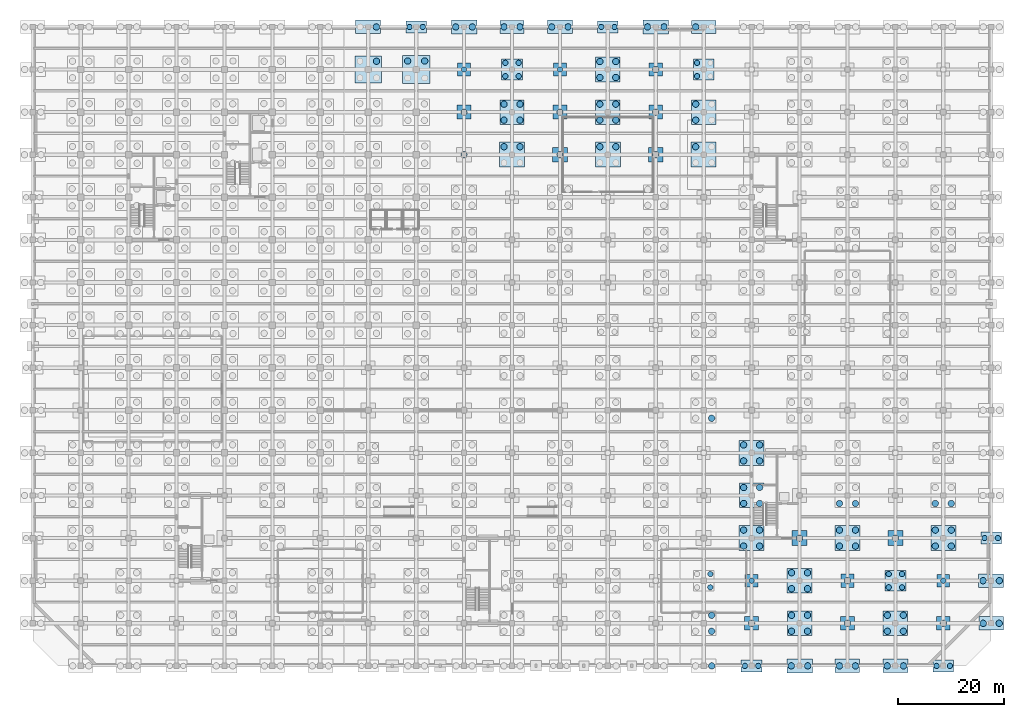
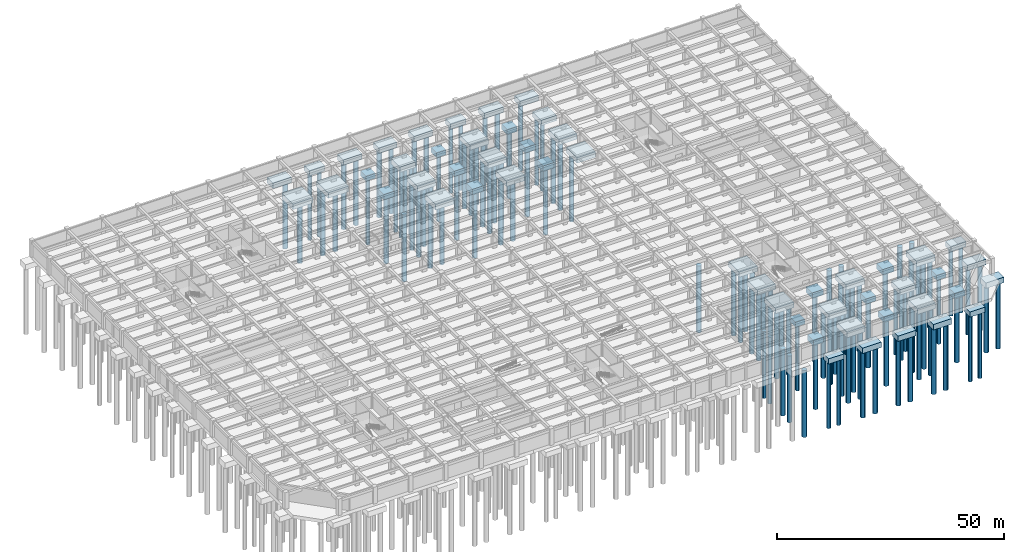
# One storey, part 6 of 31: 121 piles, 52 footings.
"""IFC4 building model written with IfcOpenShell, lengths in metres."""

from ifc_helpers import new_model, si_unit, direction, frame, origin, origin_2d, place, context, subcontext, project, spatial, rectangle, circle, extrude, material, layer, layer_set, material_profile, profile_set, type_object, element, save


model = new_model("IFC4")

# Units and contexts
model_context = context("Model", 3, precision=1e-05, world=origin(), true_north=direction((0.0, 1.0)))
body_context = subcontext(model_context, "Body", "Model", "MODEL_VIEW")
ifc_project = project(units=[si_unit("LENGTHUNIT", "METRE"), si_unit("AREAUNIT", "SQUARE_METRE"), si_unit("VOLUMEUNIT", "CUBIC_METRE"), si_unit("PLANEANGLEUNIT", "RADIAN"), si_unit("MASSUNIT", "GRAM", prefix="KILO")], contexts=[model_context])

# Site, building, storey
site_placement = place(None, origin())
site = spatial("IfcSite", under=ifc_project, at=site_placement, CompositionType="ELEMENT")
building_placement = place(site_placement, origin())
building = spatial("IfcBuilding", under=site, at=building_placement, Name="Zaverband Oceanarium and Marine Research Institute", CompositionType="ELEMENT")
storey_placement = place(building_placement, frame((0.0, 0.0, -9.0)))
storey = spatial("IfcBuildingStorey", under=building, at=storey_placement, Name="B2", CompositionType="ELEMENT", Elevation=-9.0)

# Footings
ifc_material = material(Name="Concrete C50/60", Category="concrete")
ifc_layer_1 = layer(ifc_material, 1.39990234375, Name="Concrete C50/60")
ifc_layer_set_1 = layer_set([ifc_layer_1], Name="Concrete C50/60")
footing_type_1 = type_object("IfcFootingType", Name="PC-2400x2400x1400", PredefinedType="PILE_CAP", material=ifc_layer_set_1)
for number, where, z_axis, x_axis, name in (
    (1, (81.0, 112.0, -2.300048828125), (0.0, 0.0, 1.0), (1.0, 0.0, 0.0), "Reinforced concrete pile cap PC-2400x2400x1400"),
    (2, (99.0, 112.0, -2.300048828125), (0.0, 0.0, 1.0), (1.0, 0.0, 0.0), "Reinforced concrete pile cap PC-2400x2400x1400"),
    (3, (135.0, 16.0, -2.300048828125), (0.0, 0.0, 1.0), (1.0, 0.0, 0.0), "Reinforced concrete pile cap PC-2400x2400x1400"),
    (4, (171.0, 16.0, -2.300048828125), (0.0, 0.0, 1.0), (1.0, 0.0, 0.0), "Reinforced concrete pile cap PC-2400x2400x1400"),
):
    element("IfcFooting", number, at=place(storey_placement, frame(where, z_axis=z_axis, x_axis=x_axis)), inside=storey, type_object=footing_type_1, Name=name, PredefinedType="PILE_CAP", context=body_context, shape_type="SweptSolid", body=[
        extrude(rectangle(XDim=2.39990234375, YDim=2.39990234375, at=origin_2d()), origin(), (0.0, 0.0, 1.0), 1.39990234375),
    ])
ifc_layer_2 = layer(ifc_material, 1.449951171875, Name="Concrete C50/60")
ifc_layer_set_2 = layer_set([ifc_layer_2], Name="Concrete C50/60")
footing_type_2 = type_object("IfcFootingType", Name="PC-2500x2500x1450", PredefinedType="PILE_CAP", material=ifc_layer_set_2)
for number, where, z_axis, x_axis, name in (
    (5, (117.0, 112.0, -2.35009765625), (0.0, 0.0, 1.0), (1.0, 0.0, 0.0), "Reinforced concrete pile cap PC-2500x2500x1450"),
    (6, (153.0, 16.0, -2.35009765625), (0.0, 0.0, 1.0), (1.0, 0.0, 0.0), "Reinforced concrete pile cap PC-2500x2500x1450"),
):
    element("IfcFooting", number, at=place(storey_placement, frame(where, z_axis=z_axis, x_axis=x_axis)), inside=storey, type_object=footing_type_2, Name=name, PredefinedType="PILE_CAP", context=body_context, shape_type="SweptSolid", body=[
        extrude(rectangle(XDim=2.5, YDim=2.5, at=origin_2d()), origin(), (0.0, 0.0, 1.0), 1.449951171875),
    ])
ifc_layer_3 = layer(ifc_material, 1.5, Name="Concrete C50/60")
ifc_layer_set_3 = layer_set([ifc_layer_3], Name="Concrete C50/60")
footing_type_3 = type_object("IfcFootingType", Name="PC-2600x2600x1500", PredefinedType="PILE_CAP", material=ifc_layer_set_3)
for number, where, z_axis, x_axis, name in (
    (7, (81.0, 104.0, -2.39990234375), (0.0, 0.0, 1.0), (1.0, 0.0, 0.0), "Reinforced concrete pile cap PC-2600x2600x1500"),
    (8, (99.0, 104.0, -2.39990234375), (0.0, 0.0, 1.0), (1.0, 0.0, 0.0), "Reinforced concrete pile cap PC-2600x2600x1500"),
    (9, (117.0, 104.0, -2.39990234375), (0.0, 0.0, 1.0), (1.0, 0.0, 0.0), "Reinforced concrete pile cap PC-2600x2600x1500"),
    (10, (135.0, 8.0, -2.39990234375), (0.0, 0.0, 1.0), (1.0, 0.0, 0.0), "Reinforced concrete pile cap PC-2600x2600x1500"),
    (11, (153.0, 8.0, -2.39990234375), (0.0, 0.0, 1.0), (1.0, 0.0, 0.0), "Reinforced concrete pile cap PC-2600x2600x1500"),
    (12, (171.0, 8.0, -2.39990234375), (0.0, 0.0, 1.0), (1.0, 0.0, 0.0), "Reinforced concrete pile cap PC-2600x2600x1500"),
):
    element("IfcFooting", number, at=place(storey_placement, frame(where, z_axis=z_axis, x_axis=x_axis)), inside=storey, type_object=footing_type_3, Name=name, PredefinedType="PILE_CAP", context=body_context, shape_type="SweptSolid", body=[
        extrude(rectangle(XDim=2.60009765625, YDim=2.60009765625, at=origin_2d()), origin(), (0.0, 0.0, 1.0), 1.5),
    ])
ifc_layer_4 = layer(ifc_material, 1.5, Name="Concrete C50/60")
ifc_layer_set_4 = layer_set([ifc_layer_4], Name="Concrete C50/60")
footing_type_4 = type_object("IfcFootingType", Name="PC-2800x2800x1500", PredefinedType="PILE_CAP", material=ifc_layer_set_4)
for number, where, z_axis, x_axis, name in (
    (13, (99.0, 96.0, -2.39990234375), (0.0, 0.0, 1.0), (1.0, 0.0, 0.0), "Reinforced concrete pile cap PC-2800x2800x1500"),
    (14, (117.0, 96.0, -2.39990234375), (0.0, 0.0, 1.0), (1.0, 0.0, 0.0), "Reinforced concrete pile cap PC-2800x2800x1500"),
    (15, (144.0, 24.0, -2.39990234375), (0.0, 0.0, 1.0), (1.0, 0.0, 0.0), "Reinforced concrete pile cap PC-2800x2800x1500"),
    (16, (162.0, 24.0, -2.39990234375), (0.0, 0.0, 1.0), (1.0, 0.0, 0.0), "Reinforced concrete pile cap PC-2800x2800x1500"),
):
    element("IfcFooting", number, at=place(storey_placement, frame(where, z_axis=z_axis, x_axis=x_axis)), inside=storey, type_object=footing_type_4, Name=name, PredefinedType="PILE_CAP", context=body_context, shape_type="SweptSolid", body=[
        extrude(rectangle(XDim=2.800048828125, YDim=2.800048828125, at=origin_2d()), origin(), (0.0, 0.0, 1.0), 1.5),
    ])
ifc_layer_5 = layer(ifc_material, 1.39990234375, Name="Concrete C50/60")
ifc_layer_set_5 = layer_set([ifc_layer_5], Name="Concrete C50/60")
footing_type_5 = type_object("IfcFootingType", Name="PC-3900x2300x1400", PredefinedType="PILE_CAP", material=ifc_layer_set_5)
for number, where, z_axis, x_axis, name in (
    (17, (72.0, 120.0, -2.300048828125), (0.0, 0.0, 1.0), (1.0, 0.0, 0.0), "Reinforced concrete pile cap PC-3900x2300x1400"),
    (18, (108.0, 120.0, -2.300048828125), (0.0, 0.0, 1.0), (1.0, 0.0, 0.0), "Reinforced concrete pile cap PC-3900x2300x1400"),
    (19, (135.0, 0.0, -2.300048828125), (0.0, 0.0, 1.0), (1.0, 0.0, 0.0), "Reinforced concrete pile cap PC-3900x2300x1400"),
    (20, (171.0, 0.0, -2.300048828125), (0.0, 0.0, 1.0), (1.0, 0.0, 0.0), "Reinforced concrete pile cap PC-3900x2300x1400"),
    (21, (180.0, 24.0, -2.300048828125), (0.0, 0.0, 1.0), (1.0, 0.0, 0.0), "Reinforced concrete pile cap PC-3900x2300x1400"),
):
    element("IfcFooting", number, at=place(storey_placement, frame(where, z_axis=z_axis, x_axis=x_axis)), inside=storey, type_object=footing_type_5, Name=name, PredefinedType="PILE_CAP", context=body_context, shape_type="SweptSolid", body=[
        extrude(rectangle(XDim=3.89990234375, YDim=2.300048828125, at=origin_2d()), origin(), (0.0, 0.0, 1.0), 1.39990234375),
    ])
ifc_layer_6 = layer(ifc_material, 1.449951171875, Name="Concrete C50/60")
ifc_layer_set_6 = layer_set([ifc_layer_6], Name="Concrete C50/60")
footing_type_6 = type_object("IfcFootingType", Name="PC-3900x3900x1450", PredefinedType="PILE_CAP", material=ifc_layer_set_6)
for number, where, z_axis, x_axis, name in (
    (22, (90.0, 112.0, -2.35009765625), (0.0, 0.0, 1.0), (1.0, 0.0, 0.0), "Reinforced concrete pile cap PC-3900x3900x1450"),
    (23, (126.0, 112.0, -2.35009765625), (0.0, 0.0, 1.0), (1.0, 0.0, 0.0), "Reinforced concrete pile cap PC-3900x3900x1450"),
    (24, (162.0, 16.0, -2.35009765625), (0.0, 0.0, 1.0), (1.0, 0.0, 0.0), "Reinforced concrete pile cap PC-3900x3900x1450"),
):
    element("IfcFooting", number, at=place(storey_placement, frame(where, z_axis=z_axis, x_axis=x_axis)), inside=storey, type_object=footing_type_6, Name=name, PredefinedType="PILE_CAP", context=body_context, shape_type="SweptSolid", body=[
        extrude(rectangle(XDim=3.89990234375, YDim=3.89990234375, at=origin_2d()), origin(), (0.0, 0.0, 1.0), 1.449951171875),
    ])
ifc_layer_7 = layer(ifc_material, 1.449951171875, Name="Concrete C50/60")
ifc_layer_set_7 = layer_set([ifc_layer_7], Name="Concrete C50/60")
footing_type_7 = type_object("IfcFootingType", Name="PC-4600x2500x1450", PredefinedType="PILE_CAP", material=ifc_layer_set_7)
for number, where, z_axis, x_axis, name in (
    (25, (90.0, 120.0, -2.35009765625), (0.0, 0.0, 1.0), (1.0, 0.0, 0.0), "Reinforced concrete pile cap PC-4600x2500x1450"),
    (26, (126.0, 120.0, -2.35009765625), (0.0, 0.0, 1.0), (1.0, 0.0, 0.0), "Reinforced concrete pile cap PC-4600x2500x1450"),
    (27, (153.0, 0.0, -2.35009765625), (0.0, 0.0, 1.0), (1.0, 0.0, 0.0), "Reinforced concrete pile cap PC-4600x2500x1450"),
    (28, (180.0, 8.0, -2.35009765625), (0.0, 0.0, 1.0), (1.0, 0.0, 0.0), "Reinforced concrete pile cap PC-4600x2500x1450"),
):
    element("IfcFooting", number, at=place(storey_placement, frame(where, z_axis=z_axis, x_axis=x_axis)), inside=storey, type_object=footing_type_7, Name=name, PredefinedType="PILE_CAP", context=body_context, shape_type="SweptSolid", body=[
        extrude(rectangle(XDim=4.60009765625, YDim=2.5, at=origin_2d()), origin(), (0.0, 0.0, 1.0), 1.449951171875),
    ])
ifc_layer_8 = layer(ifc_material, 1.5, Name="Concrete C50/60")
ifc_layer_set_8 = layer_set([ifc_layer_8], Name="Concrete C50/60")
footing_type_8 = type_object("IfcFootingType", Name="PC-4600x4600x1500", PredefinedType="PILE_CAP", material=ifc_layer_set_8)
for number, where, z_axis, x_axis, name in (
    (29, (90.0, 104.0, -2.39990234375), (0.0, 0.0, 1.0), (1.0, 0.0, 0.0), "Reinforced concrete pile cap PC-4600x4600x1500"),
    (30, (108.0, 104.0, -2.39990234375), (0.0, 0.0, 1.0), (1.0, 0.0, 0.0), "Reinforced concrete pile cap PC-4600x4600x1500"),
    (31, (126.0, 104.0, -2.39990234375), (0.0, 0.0, 1.0), (1.0, 0.0, 0.0), "Reinforced concrete pile cap PC-4600x4600x1500"),
    (32, (135.0, 32.0, -2.39990234375), (0.0, 0.0, 1.0), (1.0, 0.0, 0.0), "Reinforced concrete pile cap PC-4600x4600x1500"),
    (33, (144.0, 8.0, -2.39990234375), (0.0, 0.0, 1.0), (1.0, 0.0, 0.0), "Reinforced concrete pile cap PC-4600x4600x1500"),
    (34, (162.0, 8.0, -2.39990234375), (0.0, 0.0, 1.0), (1.0, 0.0, 0.0), "Reinforced concrete pile cap PC-4600x4600x1500"),
):
    element("IfcFooting", number, at=place(storey_placement, frame(where, z_axis=z_axis, x_axis=x_axis)), inside=storey, type_object=footing_type_8, Name=name, PredefinedType="PILE_CAP", context=body_context, shape_type="SweptSolid", body=[
        extrude(rectangle(XDim=4.60009765625, YDim=4.60009765625, at=origin_2d()), origin(), (0.0, 0.0, 1.0), 1.5),
    ])
ifc_layer_9 = layer(ifc_material, 1.449951171875, Name="Concrete C50/60")
ifc_layer_set_9 = layer_set([ifc_layer_9], Name="Concrete C50/60")
footing_type_9 = type_object("IfcFootingType", Name="PC-4650x4650x1450", PredefinedType="PILE_CAP", material=ifc_layer_set_9)
for number, where, z_axis, x_axis, name in (
    (35, (108.0, 112.0, -2.35009765625), (0.0, 0.0, 1.0), (1.0, 0.0, 0.0), "Reinforced concrete pile cap PC-4650x4650x1450"),
    (36, (135.0, 40.0, -2.35009765625), (0.0, 0.0, 1.0), (1.0, 0.0, 0.0), "Reinforced concrete pile cap PC-4650x4650x1450"),
    (37, (144.0, 16.0, -2.35009765625), (0.0, 0.0, 1.0), (1.0, 0.0, 0.0), "Reinforced concrete pile cap PC-4650x4650x1450"),
):
    element("IfcFooting", number, at=place(storey_placement, frame(where, z_axis=z_axis, x_axis=x_axis)), inside=storey, type_object=footing_type_9, Name=name, PredefinedType="PILE_CAP", context=body_context, shape_type="SweptSolid", body=[
        extrude(rectangle(XDim=4.64990234375, YDim=4.64990234375, at=origin_2d()), origin(), (0.0, 0.0, 1.0), 1.449951171875),
    ])
ifc_layer_10 = layer(ifc_material, 1.5, Name="Concrete C50/60")
ifc_layer_set_10 = layer_set([ifc_layer_10], Name="Concrete C50/60")
footing_type_10 = type_object("IfcFootingType", Name="PC-4700x2550x1500", PredefinedType="PILE_CAP", material=ifc_layer_set_10)
for number, where, z_axis, x_axis, name in (
    (38, (63.0, 120.0, -2.39990234375), (0.0, 0.0, 1.0), (1.0, 0.0, 0.0), "Reinforced concrete pile cap PC-4700x2550x1500"),
    (39, (99.0, 120.0, -2.39990234375), (0.0, 0.0, 1.0), (1.0, 0.0, 0.0), "Reinforced concrete pile cap PC-4700x2550x1500"),
    (40, (162.0, 0.0, -2.39990234375), (0.0, 0.0, 1.0), (1.0, 0.0, 0.0), "Reinforced concrete pile cap PC-4700x2550x1500"),
    (41, (180.0, 16.0, -2.39990234375), (0.0, 0.0, 1.0), (1.0, 0.0, 0.0), "Reinforced concrete pile cap PC-4700x2550x1500"),
):
    element("IfcFooting", number, at=place(storey_placement, frame(where, z_axis=z_axis, x_axis=x_axis)), inside=storey, type_object=footing_type_10, Name=name, PredefinedType="PILE_CAP", context=body_context, shape_type="SweptSolid", body=[
        extrude(rectangle(XDim=4.699951171875, YDim=2.550048828125, at=origin_2d()), origin(), (0.0, 0.0, 1.0), 1.5),
    ])
ifc_layer_11 = layer(ifc_material, 1.5, Name="Concrete C50/60")
ifc_layer_set_11 = layer_set([ifc_layer_11], Name="Concrete C50/60")
footing_type_11 = type_object("IfcFootingType", Name="PC-4700x4700x1500", PredefinedType="PILE_CAP", material=ifc_layer_set_11)
for number, where, z_axis, x_axis, name in (
    (42, (90.0, 96.0, -2.39990234375), (0.0, 0.0, 1.0), (1.0, 0.0, 0.0), "Reinforced concrete pile cap PC-4700x4700x1500"),
    (43, (108.0, 96.0, -2.39990234375), (0.0, 0.0, 1.0), (1.0, 0.0, 0.0), "Reinforced concrete pile cap PC-4700x4700x1500"),
    (44, (126.0, 96.0, -2.39990234375), (0.0, 0.0, 1.0), (1.0, 0.0, 0.0), "Reinforced concrete pile cap PC-4700x4700x1500"),
    (45, (135.0, 24.0, -2.39990234375), (0.0, 0.0, 1.0), (1.0, 0.0, 0.0), "Reinforced concrete pile cap PC-4700x4700x1500"),
    (46, (153.0, 24.0, -2.39990234375), (0.0, 0.0, 1.0), (1.0, 0.0, 0.0), "Reinforced concrete pile cap PC-4700x4700x1500"),
    (47, (171.0, 24.0, -2.39990234375), (0.0, 0.0, 1.0), (1.0, 0.0, 0.0), "Reinforced concrete pile cap PC-4700x4700x1500"),
):
    element("IfcFooting", number, at=place(storey_placement, frame(where, z_axis=z_axis, x_axis=x_axis)), inside=storey, type_object=footing_type_11, Name=name, PredefinedType="PILE_CAP", context=body_context, shape_type="SweptSolid", body=[
        extrude(rectangle(XDim=4.699951171875, YDim=4.699951171875, at=origin_2d()), origin(), (0.0, 0.0, 1.0), 1.5),
    ])
ifc_layer_12 = layer(ifc_material, 1.5, Name="Concrete C50/60")
ifc_layer_set_12 = layer_set([ifc_layer_12], Name="Concrete C50/60")
footing_type_12 = type_object("IfcFootingType", Name="PC-4800x2600x1500", PredefinedType="PILE_CAP", material=ifc_layer_set_12)
for number, where, z_axis, x_axis, name in (
    (48, (81.0, 120.0, -2.39990234375), (0.0, 0.0, 1.0), (1.0, 0.0, 0.0), "Reinforced concrete pile cap PC-4800x2600x1500"),
    (49, (117.0, 120.0, -2.39990234375), (0.0, 0.0, 1.0), (1.0, 0.0, 0.0), "Reinforced concrete pile cap PC-4800x2600x1500"),
    (50, (144.0, 0.0, -2.39990234375), (0.0, 0.0, 1.0), (1.0, 0.0, 0.0), "Reinforced concrete pile cap PC-4800x2600x1500"),
):
    element("IfcFooting", number, at=place(storey_placement, frame(where, z_axis=z_axis, x_axis=x_axis)), inside=storey, type_object=footing_type_12, Name=name, PredefinedType="PILE_CAP", context=body_context, shape_type="SweptSolid", body=[
        extrude(rectangle(XDim=4.800048828125, YDim=2.60009765625, at=origin_2d()), origin(), (0.0, 0.0, 1.0), 1.5),
    ])
ifc_layer_13 = layer(ifc_material, 1.5, Name="Concrete C50/60")
ifc_layer_set_13 = layer_set([ifc_layer_13], Name="Concrete C50/60")
footing_type_13 = type_object("IfcFootingType", Name="PC-5000x5000x1500", PredefinedType="PILE_CAP", material=ifc_layer_set_13)
footing_1_placement = place(storey_placement, frame((63.0, 112.0, -2.39990234375), z_axis=(0.0, 0.0, 1.0), x_axis=(1.0, 0.0, 0.0)))
element("IfcFooting", 51, at=footing_1_placement, inside=storey, type_object=footing_type_13, Name="Reinforced concrete pile cap PC-5000x5000x1500", PredefinedType="PILE_CAP", context=body_context, shape_type="SweptSolid", body=[
    extrude(rectangle(XDim=5.0, YDim=5.0, at=origin_2d()), origin(), (0.0, 0.0, 1.0), 1.5),
])
ifc_layer_14 = layer(ifc_material, 1.5, Name="Concrete C50/60")
ifc_layer_set_14 = layer_set([ifc_layer_14], Name="Concrete C50/60")
footing_type_14 = type_object("IfcFootingType", Name="PC-5200x5200x1500", PredefinedType="PILE_CAP", material=ifc_layer_set_14)
footing_2_placement = place(storey_placement, frame((72.0, 112.0, -2.39990234375), z_axis=(0.0, 0.0, 1.0), x_axis=(1.0, 0.0, 0.0)))
element("IfcFooting", 52, at=footing_2_placement, inside=storey, type_object=footing_type_14, Name="Reinforced concrete pile cap PC-5200x5200x1500", PredefinedType="PILE_CAP", context=body_context, shape_type="SweptSolid", body=[
    extrude(rectangle(XDim=5.199951171875, YDim=5.199951171875, at=origin_2d()), origin(), (0.0, 0.0, 1.0), 1.5),
])

# Piles
ifc_material_profile_1 = material_profile(ifc_material, circle(Radius=0.5, at=origin_2d()), Name="BP1000")
ifc_profile_set_1 = profile_set([ifc_material_profile_1], Name="Concrete C50/60")
pile_type_1 = type_object("IfcPileType", Name="PL-BP1000", PredefinedType="BORED", material=ifc_profile_set_1)
for number, where, z_axis, x_axis, name in (
    (53, (70.75, 120.0, -2.300048828125), (0.0, 0.0, -1.0), (1.0, 0.0, 0.0), "Rotary bored cast-in-place pile PL-BP1000"),
    (54, (73.25, 120.0, -2.300048828125), (0.0, 0.0, -1.0), (1.0, 0.0, 0.0), "Rotary bored cast-in-place pile PL-BP1000"),
    (55, (81.0, 112.0, -2.300048828125), (0.0, 0.0, -1.0), (1.0, 0.0, 0.0), "Rotary bored cast-in-place pile PL-BP1000"),
    (56, (88.75, 110.75, -2.35009765625), (0.0, 0.0, -1.0), (1.0, 0.0, 0.0), "Rotary bored cast-in-place pile PL-BP1000"),
    (57, (91.25, 110.75, -2.35009765625), (0.0, 0.0, -1.0), (1.0, 0.0, 0.0), "Rotary bored cast-in-place pile PL-BP1000"),
    (58, (88.75, 113.25, -2.35009765625), (0.0, 0.0, -1.0), (1.0, 0.0, 0.0), "Rotary bored cast-in-place pile PL-BP1000"),
    (59, (91.25, 113.25, -2.35009765625), (0.0, 0.0, -1.0), (1.0, 0.0, 0.0), "Rotary bored cast-in-place pile PL-BP1000"),
    (60, (99.0, 112.0, -2.300048828125), (0.0, 0.0, -1.0), (1.0, 0.0, 0.0), "Rotary bored cast-in-place pile PL-BP1000"),
    (61, (106.75, 120.0, -2.300048828125), (0.0, 0.0, -1.0), (1.0, 0.0, 0.0), "Rotary bored cast-in-place pile PL-BP1000"),
    (62, (109.25, 120.0, -2.300048828125), (0.0, 0.0, -1.0), (1.0, 0.0, 0.0), "Rotary bored cast-in-place pile PL-BP1000"),
    (63, (127.25, 14.75, -2.35009765625), (0.0, 0.0, -1.0), (1.0, 0.0, 0.0), "Rotary bored cast-in-place pile PL-BP1000"),
    (64, (127.25, 17.25, -2.35009765625), (0.0, 0.0, -1.0), (1.0, 0.0, 0.0), "Rotary bored cast-in-place pile PL-BP1000"),
    (65, (124.75, 110.75, -2.35009765625), (0.0, 0.0, -1.0), (1.0, 0.0, 0.0), "Rotary bored cast-in-place pile PL-BP1000"),
    (66, (124.75, 113.25, -2.35009765625), (0.0, 0.0, -1.0), (1.0, 0.0, 0.0), "Rotary bored cast-in-place pile PL-BP1000"),
    (67, (133.75, 0.0, -2.300048828125), (0.0, 0.0, -1.0), (1.0, 0.0, 0.0), "Rotary bored cast-in-place pile PL-BP1000"),
    (68, (136.25, 0.0, -2.300048828125), (0.0, 0.0, -1.0), (1.0, 0.0, 0.0), "Rotary bored cast-in-place pile PL-BP1000"),
    (69, (135.0, 16.0, -2.300048828125), (0.0, 0.0, -1.0), (1.0, 0.0, 0.0), "Rotary bored cast-in-place pile PL-BP1000"),
    (70, (160.75, 14.75, -2.35009765625), (0.0, 0.0, -1.0), (1.0, 0.0, 0.0), "Rotary bored cast-in-place pile PL-BP1000"),
    (71, (163.25, 14.75, -2.35009765625), (0.0, 0.0, -1.0), (1.0, 0.0, 0.0), "Rotary bored cast-in-place pile PL-BP1000"),
    (72, (160.75, 17.25, -2.35009765625), (0.0, 0.0, -1.0), (1.0, 0.0, 0.0), "Rotary bored cast-in-place pile PL-BP1000"),
    (73, (163.25, 17.25, -2.35009765625), (0.0, 0.0, -1.0), (1.0, 0.0, 0.0), "Rotary bored cast-in-place pile PL-BP1000"),
    (74, (169.75, 0.0, -2.300048828125), (0.0, 0.0, -1.0), (1.0, 0.0, 0.0), "Rotary bored cast-in-place pile PL-BP1000"),
    (75, (172.25, 0.0, -2.300048828125), (0.0, 0.0, -1.0), (1.0, 0.0, 0.0), "Rotary bored cast-in-place pile PL-BP1000"),
    (76, (171.0, 16.0, -2.300048828125), (0.0, 0.0, -1.0), (1.0, 0.0, 0.0), "Rotary bored cast-in-place pile PL-BP1000"),
    (77, (178.75, 24.0, -2.300048828125), (0.0, 0.0, -1.0), (1.0, 0.0, 0.0), "Rotary bored cast-in-place pile PL-BP1000"),
    (78, (181.25, 24.0, -2.300048828125), (0.0, 0.0, -1.0), (1.0, 0.0, 0.0), "Rotary bored cast-in-place pile PL-BP1000"),
):
    element("IfcPile", number, at=place(storey_placement, frame(where, z_axis=z_axis, x_axis=x_axis)), inside=storey, type_object=pile_type_1, Name=name, PredefinedType="BORED", context=body_context, shape_type="SweptSolid", body=[
        extrude(circle(Radius=0.5, at=origin_2d()), origin(), (0.0, 0.0, 1.0), 18.0),
    ])
ifc_material_profile_2 = material_profile(ifc_material, circle(Radius=0.60009765625, at=origin_2d()), Name="BP1200")
ifc_profile_set_2 = profile_set([ifc_material_profile_2], Name="Concrete C50/60")
pile_type_2 = type_object("IfcPileType", Name="PL-BP1200", PredefinedType="BORED", material=ifc_profile_set_2)
for number, where, z_axis, x_axis, name in (
    (79, (64.550048828125, 113.550048828125, -2.39990234375), (0.0, 0.0, -1.0), (1.0, 0.0, 0.0), "Rotary bored cast-in-place pile PL-BP1200"),
    (80, (64.52490234375, 120.0, -2.39990234375), (0.0, 0.0, -1.0), (1.0, 0.0, 0.0), "Rotary bored cast-in-place pile PL-BP1200"),
    (81, (70.39990234375, 113.60009765625, -2.39990234375), (0.0, 0.0, -1.0), (1.0, 0.0, 0.0), "Rotary bored cast-in-place pile PL-BP1200"),
    (82, (73.60009765625, 113.60009765625, -2.39990234375), (0.0, 0.0, -1.0), (1.0, 0.0, 0.0), "Rotary bored cast-in-place pile PL-BP1200"),
    (83, (81.0, 96.0, -2.39990234375), (0.0, 0.0, -1.0), (1.0, 0.0, 0.0), "Rotary bored cast-in-place pile PL-BP1200"),
    (84, (81.0, 104.0, -2.39990234375), (0.0, 0.0, -1.0), (1.0, 0.0, 0.0), "Rotary bored cast-in-place pile PL-BP1200"),
    (85, (79.449951171875, 120.0, -2.39990234375), (0.0, 0.0, -1.0), (1.0, 0.0, 0.0), "Rotary bored cast-in-place pile PL-BP1200"),
    (86, (82.550048828125, 120.0, -2.39990234375), (0.0, 0.0, -1.0), (1.0, 0.0, 0.0), "Rotary bored cast-in-place pile PL-BP1200"),
    (87, (88.5, 97.5, -2.39990234375), (0.0, 0.0, -1.0), (1.0, 0.0, 0.0), "Rotary bored cast-in-place pile PL-BP1200"),
    (88, (91.5, 97.5, -2.39990234375), (0.0, 0.0, -1.0), (1.0, 0.0, 0.0), "Rotary bored cast-in-place pile PL-BP1200"),
    (89, (88.5, 102.5, -2.39990234375), (0.0, 0.0, -1.0), (1.0, 0.0, 0.0), "Rotary bored cast-in-place pile PL-BP1200"),
    (90, (91.5, 102.5, -2.39990234375), (0.0, 0.0, -1.0), (1.0, 0.0, 0.0), "Rotary bored cast-in-place pile PL-BP1200"),
    (91, (88.5, 105.5, -2.39990234375), (0.0, 0.0, -1.0), (1.0, 0.0, 0.0), "Rotary bored cast-in-place pile PL-BP1200"),
    (92, (91.5, 105.5, -2.39990234375), (0.0, 0.0, -1.0), (1.0, 0.0, 0.0), "Rotary bored cast-in-place pile PL-BP1200"),
    (93, (88.5, 120.0, -2.35009765625), (0.0, 0.0, -1.0), (1.0, 0.0, 0.0), "Rotary bored cast-in-place pile PL-BP1200"),
    (94, (91.5, 120.0, -2.35009765625), (0.0, 0.0, -1.0), (1.0, 0.0, 0.0), "Rotary bored cast-in-place pile PL-BP1200"),
    (95, (99.0, 96.0, -2.39990234375), (0.0, 0.0, -1.0), (1.0, 0.0, 0.0), "Rotary bored cast-in-place pile PL-BP1200"),
    (96, (99.0, 104.0, -2.39990234375), (0.0, 0.0, -1.0), (1.0, 0.0, 0.0), "Rotary bored cast-in-place pile PL-BP1200"),
    (97, (97.47509765625, 120.0, -2.39990234375), (0.0, 0.0, -1.0), (1.0, 0.0, 0.0), "Rotary bored cast-in-place pile PL-BP1200"),
    (98, (100.52490234375, 120.0, -2.39990234375), (0.0, 0.0, -1.0), (1.0, 0.0, 0.0), "Rotary bored cast-in-place pile PL-BP1200"),
    (99, (106.5, 97.5, -2.39990234375), (0.0, 0.0, -1.0), (1.0, 0.0, 0.0), "Rotary bored cast-in-place pile PL-BP1200"),
    (100, (109.5, 97.5, -2.39990234375), (0.0, 0.0, -1.0), (1.0, 0.0, 0.0), "Rotary bored cast-in-place pile PL-BP1200"),
    (101, (106.5, 102.5, -2.39990234375), (0.0, 0.0, -1.0), (1.0, 0.0, 0.0), "Rotary bored cast-in-place pile PL-BP1200"),
    (102, (109.5, 102.5, -2.39990234375), (0.0, 0.0, -1.0), (1.0, 0.0, 0.0), "Rotary bored cast-in-place pile PL-BP1200"),
    (103, (106.5, 105.5, -2.39990234375), (0.0, 0.0, -1.0), (1.0, 0.0, 0.0), "Rotary bored cast-in-place pile PL-BP1200"),
    (104, (109.5, 105.5, -2.39990234375), (0.0, 0.0, -1.0), (1.0, 0.0, 0.0), "Rotary bored cast-in-place pile PL-BP1200"),
    (105, (106.5, 110.5, -2.35009765625), (0.0, 0.0, -1.0), (1.0, 0.0, 0.0), "Rotary bored cast-in-place pile PL-BP1200"),
    (106, (109.5, 110.5, -2.35009765625), (0.0, 0.0, -1.0), (1.0, 0.0, 0.0), "Rotary bored cast-in-place pile PL-BP1200"),
    (107, (106.5, 113.5, -2.35009765625), (0.0, 0.0, -1.0), (1.0, 0.0, 0.0), "Rotary bored cast-in-place pile PL-BP1200"),
    (108, (109.5, 113.5, -2.35009765625), (0.0, 0.0, -1.0), (1.0, 0.0, 0.0), "Rotary bored cast-in-place pile PL-BP1200"),
    (109, (117.0, 96.0, -2.39990234375), (0.0, 0.0, -1.0), (1.0, 0.0, 0.0), "Rotary bored cast-in-place pile PL-BP1200"),
    (110, (117.0, 104.0, -2.39990234375), (0.0, 0.0, -1.0), (1.0, 0.0, 0.0), "Rotary bored cast-in-place pile PL-BP1200"),
    (111, (117.0, 112.0, -2.35009765625), (0.0, 0.0, -1.0), (1.0, 0.0, 0.0), "Rotary bored cast-in-place pile PL-BP1200"),
    (112, (115.449951171875, 120.0, -2.39990234375), (0.0, 0.0, -1.0), (1.0, 0.0, 0.0), "Rotary bored cast-in-place pile PL-BP1200"),
    (113, (118.550048828125, 120.0, -2.39990234375), (0.0, 0.0, -1.0), (1.0, 0.0, 0.0), "Rotary bored cast-in-place pile PL-BP1200"),
    (114, (127.52490234375, 0.0, -2.39990234375), (0.0, 0.0, -1.0), (1.0, 0.0, 0.0), "Rotary bored cast-in-place pile PL-BP1200"),
    (115, (127.5, 6.5, -2.39990234375), (0.0, 0.0, -1.0), (1.0, 0.0, 0.0), "Rotary bored cast-in-place pile PL-BP1200"),
    (116, (127.5, 9.5, -2.39990234375), (0.0, 0.0, -1.0), (1.0, 0.0, 0.0), "Rotary bored cast-in-place pile PL-BP1200"),
    (117, (127.5, 46.5, -2.39990234375), (0.0, 0.0, -1.0), (1.0, 0.0, 0.0), "Rotary bored cast-in-place pile PL-BP1200"),
    (118, (124.5, 97.5, -2.39990234375), (0.0, 0.0, -1.0), (1.0, 0.0, 0.0), "Rotary bored cast-in-place pile PL-BP1200"),
    (119, (124.5, 102.5, -2.39990234375), (0.0, 0.0, -1.0), (1.0, 0.0, 0.0), "Rotary bored cast-in-place pile PL-BP1200"),
    (120, (124.5, 105.5, -2.39990234375), (0.0, 0.0, -1.0), (1.0, 0.0, 0.0), "Rotary bored cast-in-place pile PL-BP1200"),
    (121, (124.5, 120.0, -2.35009765625), (0.0, 0.0, -1.0), (1.0, 0.0, 0.0), "Rotary bored cast-in-place pile PL-BP1200"),
    (122, (135.0, 8.0, -2.39990234375), (0.0, 0.0, -1.0), (1.0, 0.0, 0.0), "Rotary bored cast-in-place pile PL-BP1200"),
    (123, (133.5, 22.5, -2.39990234375), (0.0, 0.0, -1.0), (1.0, 0.0, 0.0), "Rotary bored cast-in-place pile PL-BP1200"),
    (124, (136.5, 22.5, -2.39990234375), (0.0, 0.0, -1.0), (1.0, 0.0, 0.0), "Rotary bored cast-in-place pile PL-BP1200"),
    (125, (133.5, 25.5, -2.39990234375), (0.0, 0.0, -1.0), (1.0, 0.0, 0.0), "Rotary bored cast-in-place pile PL-BP1200"),
    (126, (136.5, 25.5, -2.39990234375), (0.0, 0.0, -1.0), (1.0, 0.0, 0.0), "Rotary bored cast-in-place pile PL-BP1200"),
    (127, (133.5, 30.5, -2.39990234375), (0.0, 0.0, -1.0), (1.0, 0.0, 0.0), "Rotary bored cast-in-place pile PL-BP1200"),
    (128, (136.5, 30.5, -2.39990234375), (0.0, 0.0, -1.0), (1.0, 0.0, 0.0), "Rotary bored cast-in-place pile PL-BP1200"),
    (129, (133.5, 33.5, -2.39990234375), (0.0, 0.0, -1.0), (1.0, 0.0, 0.0), "Rotary bored cast-in-place pile PL-BP1200"),
    (130, (136.5, 33.5, -2.39990234375), (0.0, 0.0, -1.0), (1.0, 0.0, 0.0), "Rotary bored cast-in-place pile PL-BP1200"),
    (131, (133.5, 38.5, -2.35009765625), (0.0, 0.0, -1.0), (1.0, 0.0, 0.0), "Rotary bored cast-in-place pile PL-BP1200"),
    (132, (136.5, 38.5, -2.35009765625), (0.0, 0.0, -1.0), (1.0, 0.0, 0.0), "Rotary bored cast-in-place pile PL-BP1200"),
    (133, (133.5, 41.5, -2.35009765625), (0.0, 0.0, -1.0), (1.0, 0.0, 0.0), "Rotary bored cast-in-place pile PL-BP1200"),
    (134, (136.5, 41.5, -2.35009765625), (0.0, 0.0, -1.0), (1.0, 0.0, 0.0), "Rotary bored cast-in-place pile PL-BP1200"),
    (135, (142.449951171875, 0.0, -2.39990234375), (0.0, 0.0, -1.0), (1.0, 0.0, 0.0), "Rotary bored cast-in-place pile PL-BP1200"),
    (136, (145.550048828125, 0.0, -2.39990234375), (0.0, 0.0, -1.0), (1.0, 0.0, 0.0), "Rotary bored cast-in-place pile PL-BP1200"),
    (137, (142.5, 6.5, -2.39990234375), (0.0, 0.0, -1.0), (1.0, 0.0, 0.0), "Rotary bored cast-in-place pile PL-BP1200"),
    (138, (145.5, 6.5, -2.39990234375), (0.0, 0.0, -1.0), (1.0, 0.0, 0.0), "Rotary bored cast-in-place pile PL-BP1200"),
    (139, (142.5, 9.5, -2.39990234375), (0.0, 0.0, -1.0), (1.0, 0.0, 0.0), "Rotary bored cast-in-place pile PL-BP1200"),
    (140, (145.5, 9.5, -2.39990234375), (0.0, 0.0, -1.0), (1.0, 0.0, 0.0), "Rotary bored cast-in-place pile PL-BP1200"),
    (141, (142.5, 14.5, -2.35009765625), (0.0, 0.0, -1.0), (1.0, 0.0, 0.0), "Rotary bored cast-in-place pile PL-BP1200"),
    (142, (145.5, 14.5, -2.35009765625), (0.0, 0.0, -1.0), (1.0, 0.0, 0.0), "Rotary bored cast-in-place pile PL-BP1200"),
    (143, (142.5, 17.5, -2.35009765625), (0.0, 0.0, -1.0), (1.0, 0.0, 0.0), "Rotary bored cast-in-place pile PL-BP1200"),
    (144, (145.5, 17.5, -2.35009765625), (0.0, 0.0, -1.0), (1.0, 0.0, 0.0), "Rotary bored cast-in-place pile PL-BP1200"),
    (145, (144.0, 24.0, -2.39990234375), (0.0, 0.0, -1.0), (1.0, 0.0, 0.0), "Rotary bored cast-in-place pile PL-BP1200"),
    (146, (151.5, 0.0, -2.35009765625), (0.0, 0.0, -1.0), (1.0, 0.0, 0.0), "Rotary bored cast-in-place pile PL-BP1200"),
    (147, (154.5, 0.0, -2.35009765625), (0.0, 0.0, -1.0), (1.0, 0.0, 0.0), "Rotary bored cast-in-place pile PL-BP1200"),
    (148, (153.0, 8.0, -2.39990234375), (0.0, 0.0, -1.0), (1.0, 0.0, 0.0), "Rotary bored cast-in-place pile PL-BP1200"),
    (149, (153.0, 16.0, -2.35009765625), (0.0, 0.0, -1.0), (1.0, 0.0, 0.0), "Rotary bored cast-in-place pile PL-BP1200"),
    (150, (151.5, 22.5, -2.39990234375), (0.0, 0.0, -1.0), (1.0, 0.0, 0.0), "Rotary bored cast-in-place pile PL-BP1200"),
    (151, (154.5, 22.5, -2.39990234375), (0.0, 0.0, -1.0), (1.0, 0.0, 0.0), "Rotary bored cast-in-place pile PL-BP1200"),
    (152, (151.5, 25.5, -2.39990234375), (0.0, 0.0, -1.0), (1.0, 0.0, 0.0), "Rotary bored cast-in-place pile PL-BP1200"),
    (153, (154.5, 25.5, -2.39990234375), (0.0, 0.0, -1.0), (1.0, 0.0, 0.0), "Rotary bored cast-in-place pile PL-BP1200"),
    (154, (151.5, 30.5, -2.39990234375), (0.0, 0.0, -1.0), (1.0, 0.0, 0.0), "Rotary bored cast-in-place pile PL-BP1200"),
    (155, (154.5, 30.5, -2.39990234375), (0.0, 0.0, -1.0), (1.0, 0.0, 0.0), "Rotary bored cast-in-place pile PL-BP1200"),
    (156, (160.47509765625, 0.0, -2.39990234375), (0.0, 0.0, -1.0), (1.0, 0.0, 0.0), "Rotary bored cast-in-place pile PL-BP1200"),
    (157, (163.52490234375, 0.0, -2.39990234375), (0.0, 0.0, -1.0), (1.0, 0.0, 0.0), "Rotary bored cast-in-place pile PL-BP1200"),
    (158, (160.5, 6.5, -2.39990234375), (0.0, 0.0, -1.0), (1.0, 0.0, 0.0), "Rotary bored cast-in-place pile PL-BP1200"),
    (159, (163.5, 6.5, -2.39990234375), (0.0, 0.0, -1.0), (1.0, 0.0, 0.0), "Rotary bored cast-in-place pile PL-BP1200"),
    (160, (160.5, 9.5, -2.39990234375), (0.0, 0.0, -1.0), (1.0, 0.0, 0.0), "Rotary bored cast-in-place pile PL-BP1200"),
    (161, (163.5, 9.5, -2.39990234375), (0.0, 0.0, -1.0), (1.0, 0.0, 0.0), "Rotary bored cast-in-place pile PL-BP1200"),
    (162, (162.0, 24.0, -2.39990234375), (0.0, 0.0, -1.0), (1.0, 0.0, 0.0), "Rotary bored cast-in-place pile PL-BP1200"),
    (163, (171.0, 8.0, -2.39990234375), (0.0, 0.0, -1.0), (1.0, 0.0, 0.0), "Rotary bored cast-in-place pile PL-BP1200"),
    (164, (169.5, 22.5, -2.39990234375), (0.0, 0.0, -1.0), (1.0, 0.0, 0.0), "Rotary bored cast-in-place pile PL-BP1200"),
    (165, (172.5, 22.5, -2.39990234375), (0.0, 0.0, -1.0), (1.0, 0.0, 0.0), "Rotary bored cast-in-place pile PL-BP1200"),
    (166, (169.5, 25.5, -2.39990234375), (0.0, 0.0, -1.0), (1.0, 0.0, 0.0), "Rotary bored cast-in-place pile PL-BP1200"),
    (167, (172.5, 25.5, -2.39990234375), (0.0, 0.0, -1.0), (1.0, 0.0, 0.0), "Rotary bored cast-in-place pile PL-BP1200"),
    (168, (169.5, 30.5, -2.39990234375), (0.0, 0.0, -1.0), (1.0, 0.0, 0.0), "Rotary bored cast-in-place pile PL-BP1200"),
    (169, (172.5, 30.5, -2.39990234375), (0.0, 0.0, -1.0), (1.0, 0.0, 0.0), "Rotary bored cast-in-place pile PL-BP1200"),
    (170, (178.5, 8.0, -2.35009765625), (0.0, 0.0, -1.0), (1.0, 0.0, 0.0), "Rotary bored cast-in-place pile PL-BP1200"),
    (171, (181.5, 8.0, -2.35009765625), (0.0, 0.0, -1.0), (1.0, 0.0, 0.0), "Rotary bored cast-in-place pile PL-BP1200"),
    (172, (178.47509765625, 16.0, -2.39990234375), (0.0, 0.0, -1.0), (1.0, 0.0, 0.0), "Rotary bored cast-in-place pile PL-BP1200"),
    (173, (181.52490234375, 16.0, -2.39990234375), (0.0, 0.0, -1.0), (1.0, 0.0, 0.0), "Rotary bored cast-in-place pile PL-BP1200"),
):
    element("IfcPile", number, at=place(storey_placement, frame(where, z_axis=z_axis, x_axis=x_axis)), inside=storey, type_object=pile_type_2, Name=name, PredefinedType="BORED", context=body_context, shape_type="SweptSolid", body=[
        extrude(circle(Radius=0.60009765625, at=origin_2d()), origin(), (0.0, 0.0, 1.0), 18.0),
    ])

save(model, "model.ifc")
